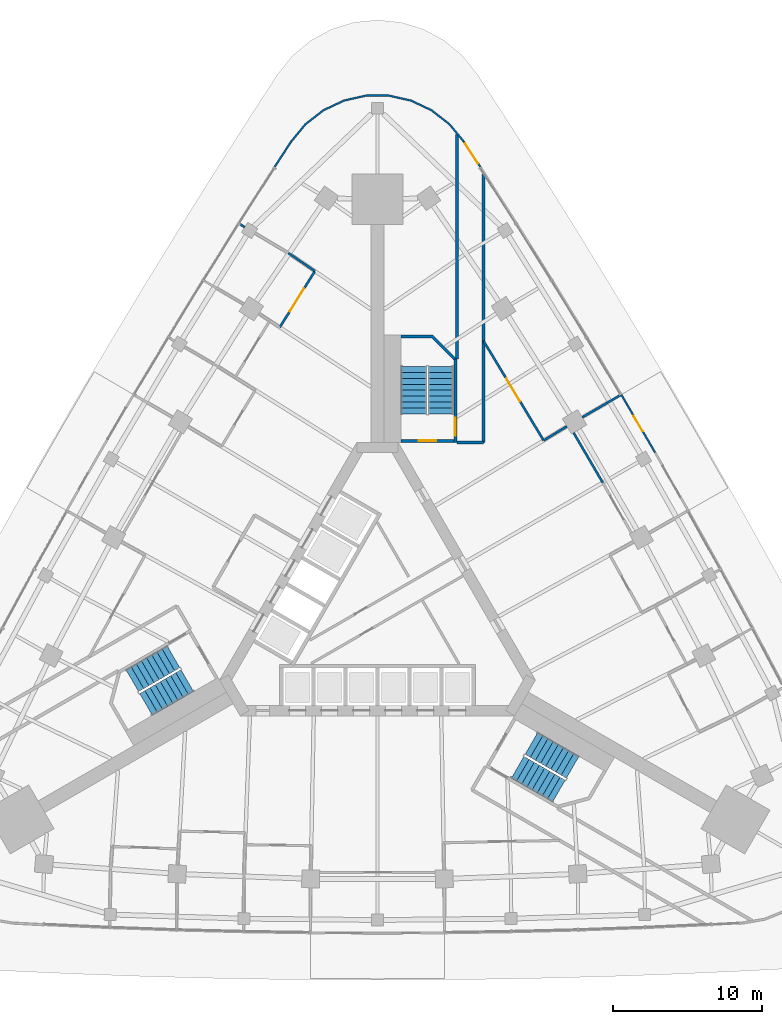
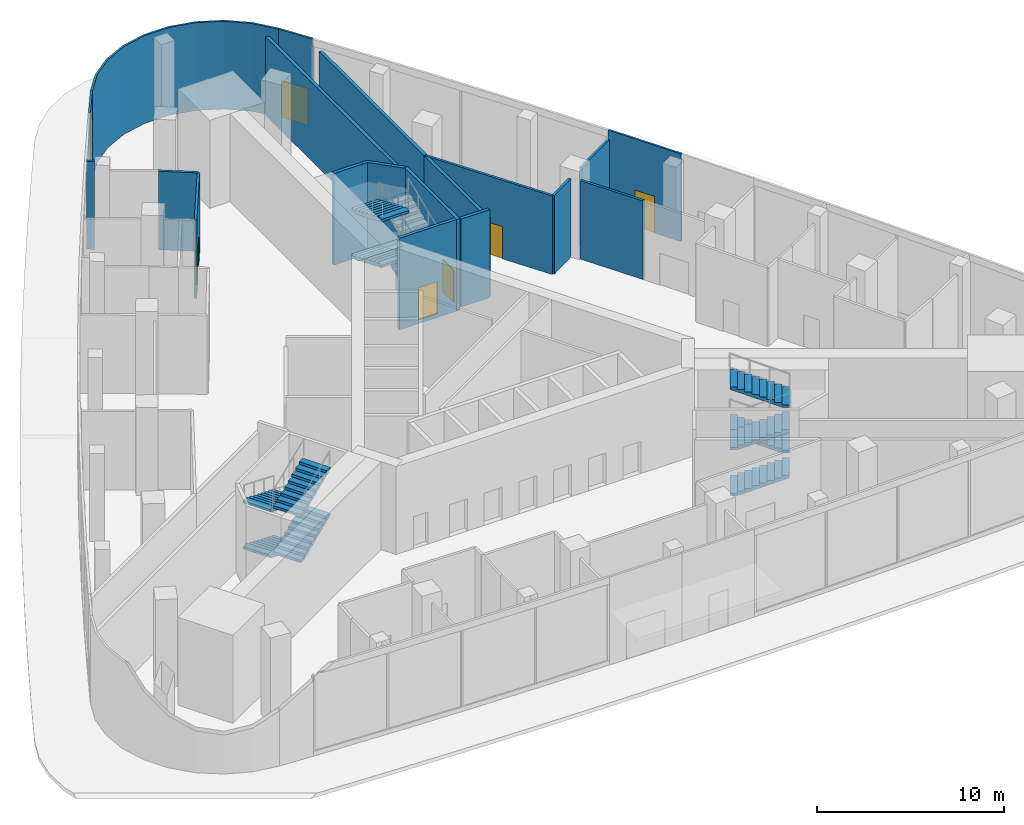
# One storey, part 10 of 14: 18 walls, 11 stair flights, 6 doors, 6 openings, 3 elements without a shape of their own.
"""IFC4 building model written with IfcOpenShell, lengths in metres."""

from ifc_helpers import new_model, si_unit, direction, frame, frame_2d, origin, place, context, subcontext, project, spatial, polyline, rectangle, outline, extrude, material, layer, layer_set, type_object, element, fill, aggregate, save


model = new_model("IFC4")

# Units and contexts
model_context = context("Model", 3, precision=1e-05, world=origin(), true_north=direction((0.0, 1.0)))
body_context = subcontext(model_context, "Body", "Model", "MODEL_VIEW")
ifc_project = project(units=[si_unit("LENGTHUNIT", "METRE"), si_unit("AREAUNIT", "SQUARE_METRE"), si_unit("VOLUMEUNIT", "CUBIC_METRE"), si_unit("PLANEANGLEUNIT", "RADIAN"), si_unit("MASSUNIT", "GRAM", prefix="KILO")], contexts=[model_context])

# Site, building, storey
site_placement = place(None, origin())
site = spatial("IfcSite", under=ifc_project, at=site_placement, CompositionType="ELEMENT")
building_placement = place(site_placement, origin())
building = spatial("IfcBuilding", under=site, at=building_placement, Name="Noor Cloister Tower", CompositionType="ELEMENT")
storey_placement = place(building_placement, origin())
storey = spatial("IfcBuildingStorey", under=building, at=storey_placement, Name="L00", CompositionType="ELEMENT", Elevation=0.0)

# Walls
ifc_material_1 = material(Name="Plasterboard on steel studs", Category="steel")
ifc_layer_1 = layer(ifc_material_1, 0.14990234375)
ifc_layer_set_1 = layer_set([ifc_layer_1], Name="Corridor wall 150")
wall_type_1 = type_object("IfcWallType", Name="Corridor wall 150", PredefinedType="PARTITIONING", material=ifc_layer_set_1)
wall_1_placement = place(storey_placement, frame((15.14501953125, 8.7451171875, 0.0), z_axis=(0.0, 0.0, 1.0), x_axis=(-0.504813441637, 0.863228468682, 0.0)))
element("IfcWall", 1, at=wall_1_placement, inside=storey, type_object=wall_type_1, Name="Partition", PredefinedType="PARTITIONING", context=body_context, shape_type="SweptSolid", body=[
    extrude(rectangle(XDim=3.880615234375, YDim=0.14990234375, at=frame_2d((1.9404296875, 0.0))), origin(), (0.0, 0.0, 1.0), 5.137939453125),
])
wall_2_placement = place(storey_placement, frame((12.736083984375, 12.52392578125, 0.0), z_axis=(0.0, 0.0, 1.0), x_axis=(-0.856583818217, -0.516007909211, 0.0)))
element("IfcWall", 2, at=wall_2_placement, inside=storey, type_object=wall_type_1, Name="Partition", PredefinedType="PARTITIONING", context=body_context, shape_type="SweptSolid", body=[
    extrude(rectangle(XDim=1.8271484375, YDim=0.14990234375, at=frame_2d((0.91357421875, 0.0))), origin(), (0.0, 0.0, 1.0), 5.137939453125),
])

# Wall, opening, door
wall_3_placement = place(storey_placement, frame((11.1689453125, 11.5810546875, 0.0), z_axis=(0.0, 0.0, 1.0), x_axis=(-0.516960400772, 0.856009313053, 0.0)))
wall_3 = element("IfcWall", 3, at=wall_3_placement, inside=storey, type_object=wall_type_1, Name="Partition", PredefinedType="PARTITIONING", context=body_context, shape_type="SweptSolid", body=[
    extrude(rectangle(XDim=7.80126953125, YDim=0.14990234375, at=frame_2d((3.900634765625, 0.0))), origin(), (0.0, 0.0, 1.0), 5.137939453125),
])
opening_1_placement = place(wall_3_placement, frame((3.050048828125, 0.0, 0.0)))
opening_1 = element("IfcOpeningElement", 4, at=opening_1_placement, cuts=wall_3, Name="Opening L00-011", PredefinedType="OPENING", context=body_context, shape_type="SweptSolid", body=[
    extrude(rectangle(XDim=1.800048828125, YDim=2.10009765625, at=frame_2d((0.89990234375, 1.050048828125))), frame((0.0, 0.0849609375, 0.0), z_axis=(0.0, -1.0, 0.0), x_axis=(1.0, 0.0, 0.0)), (0.0, 0.0, 1.0), 0.169921875),
])
ifc_material_2 = material(Name="Timber door leaf", Category="wood")
door_type_1 = type_object("IfcDoorType", Name="Double leaf door 1800", OperationType="DOUBLE_DOOR_SINGLE_SWING", PredefinedType="DOOR", material=ifc_material_2)
door_1_placement = place(opening_1_placement, origin())
door_1 = element("IfcDoor", 5, at=door_1_placement, inside=storey, type_object=door_type_1, Name="Door L00-011", OperationType="DOUBLE_DOOR_SINGLE_SWING", OverallHeight=2.10009765625, OverallWidth=1.800048828125, PredefinedType="DOOR", context=body_context, shape_type="SweptSolid", body=[
    extrude(rectangle(XDim=1.800048828125, YDim=2.10009765625, at=frame_2d((0.89990234375, 1.050048828125))), frame((0.0, 0.02490234375, 0.0), z_axis=(0.0, -1.0, 0.0), x_axis=(1.0, 0.0, 0.0)), (0.0, 0.0, 1.0), 0.050048828125),
])
fill(opening_1, door_1)

# Walls
wall_4_placement = place(storey_placement, frame((16.337890625, 14.6279296875, 0.0), z_axis=(0.0, 0.0, 1.0), x_axis=(-0.864594359068, -0.502470490943, 0.0)))
element("IfcWall", 6, at=wall_4_placement, inside=storey, type_object=wall_type_1, Name="Partition", PredefinedType="PARTITIONING", context=body_context, shape_type="SweptSolid", body=[
    extrude(rectangle(XDim=2.97119140625, YDim=0.14990234375, at=frame_2d((1.485595703125, 0.0))), origin(), (0.0, 0.0, 1.0), 5.133056640625),
])
wall_5_placement = place(storey_placement, frame((-9.2900390625, 26.14111328125, 0.0), z_axis=(0.0, 0.0, 1.0), x_axis=(0.860041962333, -0.510223307019, 0.0)))
element("IfcWall", 7, at=wall_5_placement, inside=storey, type_object=wall_type_1, Name="Partition", PredefinedType="PARTITIONING", context=body_context, shape_type="SweptSolid", body=[
    extrude(rectangle(XDim=0.42919921875, YDim=0.14990234375, at=frame_2d((0.214599609375, 0.0))), origin(), (0.0, 0.0, 1.0), 5.75),
])
wall_6_placement = place(storey_placement, frame((-5.98193359375, 24.173095703125, 0.0), z_axis=(0.0, 0.0, 1.0), x_axis=(0.826407250565, -0.563072869364, 0.0)))
element("IfcWall", 8, at=wall_6_placement, inside=storey, type_object=wall_type_1, Name="Partition", PredefinedType="PARTITIONING", context=body_context, shape_type="SweptSolid", body=[
    extrude(rectangle(XDim=2.15283203125, YDim=0.14990234375, at=frame_2d((1.076416015625, 0.0))), origin(), (0.0, 0.0, 1.0), 5.137939453125),
])

# Wall, opening, door
wall_7_placement = place(storey_placement, frame((-4.22412109375, 22.927978515625, 0.0), z_axis=(0.0, 0.0, 1.0), x_axis=(-0.53074011621, -0.847534618199, 0.0)))
wall_7 = element("IfcWall", 9, at=wall_7_placement, inside=storey, type_object=wall_type_1, Name="Partition", PredefinedType="PARTITIONING", context=body_context, shape_type="SweptSolid", body=[
    extrude(rectangle(XDim=4.410400390625, YDim=0.14990234375, at=frame_2d((2.205078125, 0.0))), origin(), (0.0, 0.0, 1.0), 5.137939453125),
])
opening_2_placement = place(wall_7_placement, frame((1.35009765625, 0.0, 0.0)))
opening_2 = element("IfcOpeningElement", 10, at=opening_2_placement, cuts=wall_7, Name="Opening L00-012", PredefinedType="OPENING", context=body_context, shape_type="SweptSolid", body=[
    extrude(rectangle(XDim=1.800048828125, YDim=2.10009765625, at=frame_2d((0.89990234375, 1.050048828125))), frame((0.0, 0.0849609375, 0.0), z_axis=(0.0, -1.0, 0.0), x_axis=(1.0, 0.0, 0.0)), (0.0, 0.0, 1.0), 0.169921875),
])
door_2_placement = place(opening_2_placement, origin())
door_2 = element("IfcDoor", 11, at=door_2_placement, inside=storey, type_object=door_type_1, Name="Door L00-012", OperationType="DOUBLE_DOOR_SINGLE_SWING", OverallHeight=2.10009765625, OverallWidth=1.800048828125, PredefinedType="DOOR", context=body_context, shape_type="SweptSolid", body=[
    extrude(rectangle(XDim=1.800048828125, YDim=2.10009765625, at=frame_2d((0.89990234375, 1.050048828125))), frame((0.0, 0.02490234375, 0.0), z_axis=(0.0, -1.0, 0.0), x_axis=(1.0, 0.0, 0.0)), (0.0, 0.0, 1.0), 0.050048828125),
])
fill(opening_2, door_2)

# Walls
ifc_material_3 = material(Name="Reinforced blockwork", Category="masonry")
ifc_layer_2 = layer(ifc_material_3, 0.199951171875)
ifc_layer_set_2 = layer_set([ifc_layer_2], Name="Fire rated block wall 200 EI 120")
wall_type_2 = type_object("IfcWallType", Name="Fire rated block wall 200 EI 120", PredefinedType="PARTITIONING", material=ifc_layer_set_2)
wall_8_placement = place(storey_placement, frame((7.135986328125, 18.260986328125, 0.0), z_axis=(0.0, 0.0, 1.0), x_axis=(0.0, -1.0, 0.0)))
element("IfcWall", 12, at=wall_8_placement, inside=storey, type_object=wall_type_2, Name="Fire rated wall", PredefinedType="PARTITIONING", context=body_context, shape_type="SweptSolid", body=[
    extrude(rectangle(XDim=6.804931640625, YDim=0.199951171875, at=frame_2d((3.40234375, 0.0))), origin(), (0.0, 0.0, 1.0), 5.137939453125),
])
wall_9_placement = place(storey_placement, frame((7.135986328125, 11.4560546875, 0.0), z_axis=(0.0, 0.0, 1.0), x_axis=(-1.0, 0.0, 0.0)))
element("IfcWall", 13, at=wall_9_placement, inside=storey, type_object=wall_type_2, Name="Fire rated wall", PredefinedType="PARTITIONING", context=body_context, shape_type="SweptSolid", body=[
    extrude(rectangle(XDim=1.800048828125, YDim=0.199951171875, at=frame_2d((0.89990234375, 0.0))), origin(), (0.0, 0.0, 1.0), 5.75),
])
wall_10_placement = place(storey_placement, frame((5.3359375, 17.051025390625, 0.0), z_axis=(0.0, 0.0, 1.0), x_axis=(0.0, 1.0, 0.0)))
element("IfcWall", 14, at=wall_10_placement, inside=storey, type_object=wall_type_2, Name="Fire rated wall", PredefinedType="PARTITIONING", context=body_context, shape_type="SweptSolid", body=[
    extrude(rectangle(XDim=15.087890625, YDim=0.199951171875, at=frame_2d((7.5439453125, 0.0))), origin(), (0.0, 0.0, 1.0), 5.133056640625),
])
wall_11_placement = place(storey_placement, frame((7.135986328125, 29.506103515625, 0.0), z_axis=(0.0, 0.0, 1.0), x_axis=(0.0, -1.0, 0.0)))
element("IfcWall", 15, at=wall_11_placement, inside=storey, type_object=wall_type_2, Name="Fire rated wall", PredefinedType="PARTITIONING", context=body_context, shape_type="SweptSolid", body=[
    extrude(rectangle(XDim=11.255126953125, YDim=0.199951171875, at=frame_2d((5.62744140625, 0.0))), origin(), (0.0, 0.0, 1.0), 5.133056640625),
])
ifc_material_4 = material(Name="Limestone", Category="masonry")
ifc_layer_3 = layer(ifc_material_4, 0.1201171875)
ifc_layer_set_3 = layer_set([ifc_layer_3], Name="Limestone cladding 120")
wall_type_3 = type_object("IfcWallType", Name="Limestone cladding 120", PredefinedType="NOTDEFINED", material=ifc_layer_set_3)
wall_12_placement = place(storey_placement, origin())
element("IfcWall", 16, at=wall_12_placement, inside=storey, type_object=wall_type_3, Name="Limestone corner cladding L00 3", PredefinedType="NOTDEFINED", context=body_context, shape_type="SweptSolid", body=[
    extrude(outline(polyline([(5.85693359375, 31.69677734375), (4.877685546875, 32.884033203125), (3.662841796875, 33.828369140625), (2.27099609375, 34.484619140625), (0.769287109375, 34.82080078125), (-0.769287109375, 34.82080078125), (-2.27099609375, 34.484619140625), (-3.662841796875, 33.828369140625), (-4.877685546875, 32.884033203125), (-5.85693359375, 31.69677734375), (-5.76416015625, 31.62060546875), (-4.79345703125, 32.79736328125), (-3.599609375, 33.725341796875), (-2.231689453125, 34.370361328125), (-0.756103515625, 34.70068359375), (0.756103515625, 34.70068359375), (2.231689453125, 34.370361328125), (3.599609375, 33.725341796875), (4.79345703125, 32.79736328125), (5.76416015625, 31.62060546875), (5.85693359375, 31.69677734375)])), origin(), (0.0, 0.0, 1.0), 5.75),
])
wall_13_placement = place(storey_placement, frame((-6.915771484375, 29.960693359375, 0.0), z_axis=(0.0, 0.0, 1.0), x_axis=(0.545706549404, 0.837976349271, 0.0)))
element("IfcWall", 17, at=wall_13_placement, inside=storey, type_object=wall_type_3, Name="Limestone pilaster wall L00 3.3", PredefinedType="NOTDEFINED", context=body_context, shape_type="SweptSolid", body=[
    extrude(rectangle(XDim=2.03076171875, YDim=0.1201171875, at=frame_2d((1.015380859375, 0.0))), origin(), (0.0, 0.0, 1.0), 5.75),
])

# Wall, opening, door
ifc_material_5 = material(Name="Limestone", Category="masonry")
ifc_layer_4 = layer(ifc_material_5, 0.1201171875)
ifc_layer_set_4 = layer_set([ifc_layer_4], Name="Limestone cladding 120 EI 60")
wall_type_4 = type_object("IfcWallType", Name="Limestone cladding 120 EI 60", PredefinedType="NOTDEFINED", material=ifc_layer_set_4)
wall_14_placement = place(storey_placement, frame((5.8076171875, 31.662353515625, 0.0), z_axis=(0.0, 0.0, 1.0), x_axis=(0.545706549404, -0.837976349271, 0.0)))
wall_14 = element("IfcWall", 18, at=wall_14_placement, inside=storey, type_object=wall_type_4, Name="Limestone pilaster wall L00 3.1", PredefinedType="NOTDEFINED", context=body_context, shape_type="SweptSolid", body=[
    extrude(rectangle(XDim=2.03076171875, YDim=0.1201171875, at=frame_2d((1.015380859375, 0.0))), origin(), (0.0, 0.0, 1.0), 5.75),
])
opening_3_placement = place(wall_14_placement, frame((0.14794921875, 0.0, 0.0)))
opening_3 = element("IfcOpeningElement", 19, at=opening_3_placement, cuts=wall_14, Name="Opening L00-X13", PredefinedType="OPENING", context=body_context, shape_type="SweptSolid", body=[
    extrude(rectangle(XDim=1.60009765625, YDim=2.39990234375, at=frame_2d((0.800048828125, 1.199951171875))), frame((0.0, 0.070068359375, 0.0), z_axis=(0.0, -1.0, 0.0), x_axis=(1.0, 0.0, 0.0)), (0.0, 0.0, 1.0), 0.14013671875),
])
ifc_material_6 = material(Name="Steel and glass", Category="steel")
door_type_2 = type_object("IfcDoorType", Name="Stair exit door pair 1600 x 2400", OperationType="DOUBLE_DOOR_SINGLE_SWING", PredefinedType="DOOR", material=ifc_material_6)
door_3_placement = place(opening_3_placement, origin())
door_3 = element("IfcDoor", 20, at=door_3_placement, inside=storey, type_object=door_type_2, Name="Stair exit door N", OperationType="DOUBLE_DOOR_SINGLE_SWING", OverallHeight=2.39990234375, OverallWidth=1.60009765625, PredefinedType="DOOR", context=body_context, shape_type="SweptSolid", body=[
    extrude(rectangle(XDim=1.60009765625, YDim=2.39990234375, at=frame_2d((0.800048828125, 1.199951171875))), frame((0.0, 0.02490234375, 0.0), z_axis=(0.0, -1.0, 0.0), x_axis=(1.0, 0.0, 0.0)), (0.0, 0.0, 1.0), 0.050048828125),
])
fill(opening_3, door_3)

ifc_material_7 = material(Name="Limestone", Category="masonry")
ifc_layer_5 = layer(ifc_material_7, 0.1201171875)
ifc_layer_set_5 = layer_set([ifc_layer_5], Name="Limestone portal wall 120")
wall_type_5 = type_object("IfcWallType", Name="Limestone portal wall 120", PredefinedType="NOTDEFINED", material=ifc_layer_set_5)
wall_15_placement = place(storey_placement, frame((16.3916015625, 14.6572265625, 0.0), z_axis=(0.0, 0.0, 1.0), x_axis=(0.50445499627, -0.86343798662, 0.0)))
wall_15 = element("IfcWall", 21, at=wall_15_placement, inside=storey, type_object=wall_type_5, Name="Entrance bay L00 NE 2", PredefinedType="NOTDEFINED", context=body_context, shape_type="SweptSolid", body=[
    extrude(rectangle(XDim=4.49609375, YDim=0.1201171875, at=frame_2d((2.248046875, 0.0))), origin(), (0.0, 0.0, 1.0), 5.75),
])
opening_4_placement = place(wall_15_placement, frame((1.64794921875, 0.0, 0.0)))
opening_4 = element("IfcOpeningElement", 22, at=opening_4_placement, cuts=wall_15, Name="Opening L00-X12", PredefinedType="OPENING", context=body_context, shape_type="SweptSolid", body=[
    extrude(rectangle(XDim=1.199951171875, YDim=2.39990234375, at=frame_2d((0.60009765625, 1.199951171875))), frame((0.0, 0.070068359375, 0.0), z_axis=(0.0, -1.0, 0.0), x_axis=(1.0, 0.0, 0.0)), (0.0, 0.0, 1.0), 0.14013671875),
])
ifc_material_8 = material(Name="Glass and aluminium", Category="aluminium")
door_type_3 = type_object("IfcDoorType", Name="Entrance swing door 1200 x 2400", OperationType="SINGLE_SWING_LEFT", PredefinedType="DOOR", material=ifc_material_8)
door_4_placement = place(opening_4_placement, origin())
door_4 = element("IfcDoor", 23, at=door_4_placement, inside=storey, type_object=door_type_3, Name="Station entrance door NE 2", OperationType="SINGLE_SWING_LEFT", OverallHeight=2.39990234375, OverallWidth=1.199951171875, PredefinedType="DOOR", context=body_context, shape_type="SweptSolid", body=[
    extrude(rectangle(XDim=1.199951171875, YDim=2.39990234375, at=frame_2d((0.60009765625, 1.199951171875))), frame((0.0, 0.02490234375, 0.0), z_axis=(0.0, -1.0, 0.0), x_axis=(1.0, 0.0, 0.0)), (0.0, 0.0, 1.0), 0.050048828125),
])
fill(opening_4, door_4)

ifc_material_9 = material(Name="Concrete C80/95", Category="concrete")
ifc_layer_6 = layer(ifc_material_9, 0.199951171875)
ifc_layer_set_6 = layer_set([ifc_layer_6], Name="Stair enclosure wall 200 C80/95")
wall_type_6 = type_object("IfcWallType", Name="Stair enclosure wall 200 C80/95", PredefinedType="SHEAR", material=ifc_layer_set_6)
wall_16_placement = place(storey_placement, frame((5.135498046875, 11.556396484375, -0.25), z_axis=(0.0, 0.0, 1.0), x_axis=(-1.0, 0.0, 0.0)))
wall_16 = element("IfcWall", 24, at=wall_16_placement, inside=storey, type_object=wall_type_6, Name="Stair enclosure wall ST1 L00 near end", PredefinedType="SHEAR", context=body_context, shape_type="SweptSolid", body=[
    extrude(rectangle(XDim=3.5498046875, YDim=0.199951171875, at=frame_2d((1.77490234375, 0.0))), origin(), (0.0, 0.0, 1.0), 6.0),
])
opening_5_placement = place(wall_16_placement, frame((1.175048828125, 0.0, 0.25)))
opening_5 = element("IfcOpeningElement", 25, at=opening_5_placement, cuts=wall_16, Name="Opening L00-ST1L", PredefinedType="OPENING", context=body_context, shape_type="SweptSolid", body=[
    extrude(rectangle(XDim=1.199951171875, YDim=2.10009765625, at=frame_2d((0.60009765625, 1.050048828125))), frame((0.0, 0.10986328125, 0.0), z_axis=(0.0, -1.0, 0.0), x_axis=(1.0, 0.0, 0.0)), (0.0, 0.0, 1.0), 0.219970703125),
])
ifc_material_10 = material(Name="Steel", Category="steel")
door_type_4 = type_object("IfcDoorType", Name="Stair door 1200 x 2100 FD120", OperationType="SINGLE_SWING_LEFT", PredefinedType="DOOR", material=ifc_material_10)
door_5_placement = place(opening_5_placement, origin())
door_5 = element("IfcDoor", 26, at=door_5_placement, inside=storey, type_object=door_type_4, Name="Stair door ST1 L00", OperationType="SINGLE_SWING_RIGHT", OverallHeight=2.10009765625, OverallWidth=1.199951171875, PredefinedType="DOOR", context=body_context, shape_type="SweptSolid", body=[
    extrude(rectangle(XDim=1.199951171875, YDim=2.10009765625, at=frame_2d((0.60009765625, 1.050048828125))), frame((0.0, 0.02490234375, 0.0), z_axis=(0.0, -1.0, 0.0), x_axis=(1.0, 0.0, 0.0)), (0.0, 0.0, 1.0), 0.050048828125),
])
fill(opening_5, door_5)

wall_17_placement = place(storey_placement, frame((5.235595703125, 11.456298828125, -0.25), z_axis=(0.0, 0.0, 1.0), x_axis=(0.0, 1.0, 0.0)))
wall_17 = element("IfcWall", 27, at=wall_17_placement, inside=storey, type_object=wall_type_6, Name="Stair enclosure wall ST1 L00 outer side", PredefinedType="SHEAR", context=body_context, shape_type="SweptSolid", body=[
    extrude(rectangle(XDim=5.60009765625, YDim=0.199951171875, at=frame_2d((2.800048828125, 0.0))), origin(), (0.0, 0.0, 1.0), 6.0),
])
opening_6_placement = place(wall_17_placement, frame((0.449951171875, 0.0, 0.25)))
opening_6 = element("IfcOpeningElement", 28, at=opening_6_placement, cuts=wall_17, Name="Opening L00-ST1C", PredefinedType="OPENING", context=body_context, shape_type="SweptSolid", body=[
    extrude(rectangle(XDim=1.199951171875, YDim=2.10009765625, at=frame_2d((0.60009765625, 1.050048828125))), frame((0.0, 0.10986328125, 0.0), z_axis=(0.0, -1.0, 0.0), x_axis=(1.0, 0.0, 0.0)), (0.0, 0.0, 1.0), 0.219970703125),
])
door_6_placement = place(opening_6_placement, origin())
door_6 = element("IfcDoor", 29, at=door_6_placement, inside=storey, type_object=door_type_4, Name="Stair discharge door ST1", OperationType="SINGLE_SWING_LEFT", OverallHeight=2.10009765625, OverallWidth=1.199951171875, PredefinedType="DOOR", context=body_context, shape_type="SweptSolid", body=[
    extrude(rectangle(XDim=1.199951171875, YDim=2.10009765625, at=frame_2d((0.60009765625, 1.050048828125))), frame((0.0, 0.02490234375, 0.0), z_axis=(0.0, -1.0, 0.0), x_axis=(1.0, 0.0, 0.0)), (0.0, 0.0, 1.0), 0.050048828125),
])
fill(opening_6, door_6)

# Wall
ifc_material_11 = material(Name="Concrete C80/95", Category="concrete")
wall_type_7 = type_object("IfcWallType", Name="Stair far end wall C80/95", PredefinedType="SHEAR", material=ifc_material_11)
wall_18_placement = place(storey_placement, frame((0.0, 0.0, -0.25)))
element("IfcWall", 30, at=wall_18_placement, inside=storey, type_object=wall_type_7, Name="Stair enclosure wall ST1 L00 far end", PredefinedType="SHEAR", context=body_context, shape_type="SweptSolid", body=[
    extrude(outline(polyline([(5.335693359375, 17.056396484375), (3.735595703125, 18.656494140625), (1.585693359375, 18.656494140625), (1.585693359375, 18.456298828125), (3.65283203125, 18.456298828125), (5.135498046875, 16.9736328125), (5.135498046875, 17.056396484375), (5.135498046875, 17.056396484375), (5.135498046875, 17.056396484375), (5.135498046875, 17.056396484375), (5.135498046875, 17.056396484375), (5.135498046875, 17.056396484375), (5.135498046875, 17.056396484375), (5.135498046875, 17.056396484375), (5.135498046875, 17.056396484375), (5.135498046875, 17.056396484375), (5.135498046875, 17.056396484375), (5.135498046875, 17.056396484375), (5.135498046875, 17.056396484375), (5.135498046875, 17.056396484375), (5.135498046875, 17.056396484375), (5.135498046875, 17.056396484375), (5.135498046875, 17.056396484375), (5.335693359375, 17.056396484375)])), origin(), (0.0, 0.0, 1.0), 6.0),
])

# Stair, stair flights
ifc_material_12 = material(Name="Concrete C40/50", Category="concrete")
stair_type = type_object("IfcStairType", Name="Exit stair 36 risers", PredefinedType="HALF_TURN_STAIR", material=ifc_material_12)
stair_1_placement = place(storey_placement, origin())
stair_1 = element("IfcStair", 31, at=stair_1_placement, inside=storey, type_object=stair_type, Name="Exit stair ST1 L00", PredefinedType="HALF_TURN_STAIR")
ifc_material_13 = material(Name="Concrete C40/50", Category="concrete")
stair_flight_type = type_object("IfcStairFlightType", Name="Exit stair flight", PredefinedType="STRAIGHT", material=ifc_material_13)
stair_flight_1_placement = place(storey_placement, frame((4.28564453125, 13.3564453125, 0.0), z_axis=(0.0, 0.0, 1.0), x_axis=(0.0, 1.0, 0.0)))
stair_flight_1 = element("IfcStairFlight", 32, at=stair_flight_1_placement, type_object=stair_flight_type, Name="ST1 flight 1", NumberOfRisers=9, NumberOfTreads=8, PredefinedType="STRAIGHT", RiserHeight=0.166666667, TreadLength=0.4, context=body_context, shape_type="SweptSolid", body=[
    extrude(outline(polyline([(0.0, 0.0), (0.0, 0.166748046875), (0.39990234375, 0.166748046875), (0.39990234375, 0.333251953125), (0.800048828125, 0.333251953125), (0.800048828125, 0.5), (1.199951171875, 0.5), (1.199951171875, 0.666748046875), (1.60009765625, 0.666748046875), (1.60009765625, 0.833251953125), (2.0, 0.833251953125), (2.0, 1.0), (2.39990234375, 1.0), (2.39990234375, 1.166748046875), (2.800048828125, 1.166748046875), (2.800048828125, 1.333251953125), (3.199951171875, 1.333251953125), (3.199951171875, 1.5), (3.199951171875, 1.1708984375), (0.3896484375, 0.0), (0.0, 0.0)])), frame((0.0, 0.85009765625, 0.0), z_axis=(0.0, -1.0, 0.0), x_axis=(1.0, 0.0, 0.0)), (0.0, 0.0, 1.0), 1.699951171875),
])
stair_flight_2_placement = place(storey_placement, frame((2.435546875, 16.556396484375, 1.5), z_axis=(0.0, 0.0, 1.0), x_axis=(0.0, -1.0, 0.0)))
stair_flight_2 = element("IfcStairFlight", 33, at=stair_flight_2_placement, type_object=stair_flight_type, Name="ST1 flight 2", NumberOfRisers=9, NumberOfTreads=8, PredefinedType="STRAIGHT", RiserHeight=0.166666667, TreadLength=0.4, context=body_context, shape_type="SweptSolid", body=[
    extrude(outline(polyline([(0.0, 0.0), (0.0, 0.166748046875), (0.39990234375, 0.166748046875), (0.39990234375, 0.333251953125), (0.800048828125, 0.333251953125), (0.800048828125, 0.5), (1.199951171875, 0.5), (1.199951171875, 0.666748046875), (1.60009765625, 0.666748046875), (1.60009765625, 0.833251953125), (2.0, 0.833251953125), (2.0, 1.0), (2.39990234375, 1.0), (2.39990234375, 1.166748046875), (2.800048828125, 1.166748046875), (2.800048828125, 1.333251953125), (3.199951171875, 1.333251953125), (3.199951171875, 1.5), (3.199951171875, 1.1708984375), (0.3896484375, 0.0), (0.0, 0.0)])), frame((0.0, 0.85009765625, 0.0), z_axis=(0.0, -1.0, 0.0), x_axis=(1.0, 0.0, 0.0)), (0.0, 0.0, 1.0), 1.699951171875),
])
stair_flight_3_placement = place(storey_placement, frame((2.435546875, 16.556396484375, 4.5), z_axis=(0.0, 0.0, 1.0), x_axis=(0.0, -1.0, 0.0)))
stair_flight_3 = element("IfcStairFlight", 34, at=stair_flight_3_placement, type_object=stair_flight_type, Name="ST1 flight 4", NumberOfRisers=9, NumberOfTreads=8, PredefinedType="STRAIGHT", RiserHeight=0.166666667, TreadLength=0.4, context=body_context, shape_type="SweptSolid", body=[
    extrude(outline(polyline([(0.0, 0.0), (0.0, 0.166748046875), (0.39990234375, 0.166748046875), (0.39990234375, 0.333251953125), (0.800048828125, 0.333251953125), (0.800048828125, 0.5), (1.199951171875, 0.5), (1.199951171875, 0.666748046875), (1.60009765625, 0.666748046875), (1.60009765625, 0.833251953125), (2.0, 0.833251953125), (2.0, 1.0), (2.39990234375, 1.0), (2.39990234375, 1.166748046875), (2.800048828125, 1.166748046875), (2.800048828125, 1.333251953125), (3.199951171875, 1.333251953125), (3.199951171875, 1.5), (3.199951171875, 1.1708984375), (0.3896484375, 0.0), (0.0, 0.0)])), frame((0.0, 0.85009765625, 0.0), z_axis=(0.0, -1.0, 0.0), x_axis=(1.0, 0.0, 0.0)), (0.0, 0.0, 1.0), 1.699951171875),
])
aggregate(stair_1, [stair_flight_1, stair_flight_2, stair_flight_3])

stair_2_placement = place(storey_placement, origin())
stair_2 = element("IfcStair", 35, at=stair_2_placement, inside=storey, type_object=stair_type, Name="Exit stair ST2 L00", PredefinedType="HALF_TURN_STAIR")
stair_flight_4_placement = place(storey_placement, frame((-13.709716796875, -2.966796875, 0.0), z_axis=(0.0, 0.0, 1.0), x_axis=(-0.866025403784, -0.5, 0.0)))
stair_flight_4 = element("IfcStairFlight", 36, at=stair_flight_4_placement, type_object=stair_flight_type, Name="ST2 flight 1", NumberOfRisers=9, NumberOfTreads=8, PredefinedType="STRAIGHT", RiserHeight=0.166666667, TreadLength=0.4, context=body_context, shape_type="SweptSolid", body=[
    extrude(outline(polyline([(0.0, 0.0), (0.0, 0.166748046875), (0.39990234375, 0.166748046875), (0.39990234375, 0.333251953125), (0.800048828125, 0.333251953125), (0.800048828125, 0.5), (1.199951171875, 0.5), (1.199951171875, 0.666748046875), (1.60009765625, 0.666748046875), (1.60009765625, 0.833251953125), (2.0, 0.833251953125), (2.0, 1.0), (2.39990234375, 1.0), (2.39990234375, 1.166748046875), (2.800048828125, 1.166748046875), (2.800048828125, 1.333251953125), (3.199951171875, 1.333251953125), (3.199951171875, 1.5), (3.199951171875, 1.1708984375), (0.3896484375, 0.0), (0.0, 0.0)])), frame((0.0, 0.85009765625, 0.0), z_axis=(0.0, -1.0, 0.0), x_axis=(1.0, 0.0, 0.0)), (0.0, 0.0, 1.0), 1.699951171875),
])
stair_flight_5_placement = place(storey_placement, frame((-15.55615234375, -6.1689453125, 1.5), z_axis=(0.0, 0.0, 1.0), x_axis=(0.866025403784, 0.5, 0.0)))
stair_flight_5 = element("IfcStairFlight", 37, at=stair_flight_5_placement, type_object=stair_flight_type, Name="ST2 flight 2", NumberOfRisers=9, NumberOfTreads=8, PredefinedType="STRAIGHT", RiserHeight=0.166666667, TreadLength=0.4, context=body_context, shape_type="SweptSolid", body=[
    extrude(outline(polyline([(0.0, 0.0), (0.0, 0.166748046875), (0.39990234375, 0.166748046875), (0.39990234375, 0.333251953125), (0.800048828125, 0.333251953125), (0.800048828125, 0.5), (1.199951171875, 0.5), (1.199951171875, 0.666748046875), (1.60009765625, 0.666748046875), (1.60009765625, 0.833251953125), (2.0, 0.833251953125), (2.0, 1.0), (2.39990234375, 1.0), (2.39990234375, 1.166748046875), (2.800048828125, 1.166748046875), (2.800048828125, 1.333251953125), (3.199951171875, 1.333251953125), (3.199951171875, 1.5), (3.199951171875, 1.1708984375), (0.3896484375, 0.0), (0.0, 0.0)])), frame((0.0, 0.85009765625, 0.0), z_axis=(0.0, -1.0, 0.0), x_axis=(1.0, 0.0, 0.0)), (0.0, 0.0, 1.0), 1.699951171875),
])
stair_flight_6_placement = place(storey_placement, frame((-13.709716796875, -2.966796875, 3.0), z_axis=(0.0, 0.0, 1.0), x_axis=(-0.866025403784, -0.5, 0.0)))
stair_flight_6 = element("IfcStairFlight", 38, at=stair_flight_6_placement, type_object=stair_flight_type, Name="ST2 flight 3", NumberOfRisers=9, NumberOfTreads=8, PredefinedType="STRAIGHT", RiserHeight=0.166666667, TreadLength=0.4, context=body_context, shape_type="SweptSolid", body=[
    extrude(outline(polyline([(0.0, 0.0), (0.0, 0.166748046875), (0.39990234375, 0.166748046875), (0.39990234375, 0.333251953125), (0.800048828125, 0.333251953125), (0.800048828125, 0.5), (1.199951171875, 0.5), (1.199951171875, 0.666748046875), (1.60009765625, 0.666748046875), (1.60009765625, 0.833251953125), (2.0, 0.833251953125), (2.0, 1.0), (2.39990234375, 1.0), (2.39990234375, 1.166748046875), (2.800048828125, 1.166748046875), (2.800048828125, 1.333251953125), (3.199951171875, 1.333251953125), (3.199951171875, 1.5), (3.199951171875, 1.1708984375), (0.3896484375, 0.0), (0.0, 0.0)])), frame((0.0, 0.85009765625, 0.0), z_axis=(0.0, -1.0, 0.0), x_axis=(1.0, 0.0, 0.0)), (0.0, 0.0, 1.0), 1.699951171875),
])
stair_flight_7_placement = place(storey_placement, frame((-15.55615234375, -6.1689453125, 4.5), z_axis=(0.0, 0.0, 1.0), x_axis=(0.866025403784, 0.5, 0.0)))
stair_flight_7 = element("IfcStairFlight", 39, at=stair_flight_7_placement, type_object=stair_flight_type, Name="ST2 flight 4", NumberOfRisers=9, NumberOfTreads=8, PredefinedType="STRAIGHT", RiserHeight=0.166666667, TreadLength=0.4, context=body_context, shape_type="SweptSolid", body=[
    extrude(outline(polyline([(0.0, 0.0), (0.0, 0.166748046875), (0.39990234375, 0.166748046875), (0.39990234375, 0.333251953125), (0.800048828125, 0.333251953125), (0.800048828125, 0.5), (1.199951171875, 0.5), (1.199951171875, 0.666748046875), (1.60009765625, 0.666748046875), (1.60009765625, 0.833251953125), (2.0, 0.833251953125), (2.0, 1.0), (2.39990234375, 1.0), (2.39990234375, 1.166748046875), (2.800048828125, 1.166748046875), (2.800048828125, 1.333251953125), (3.199951171875, 1.333251953125), (3.199951171875, 1.5), (3.199951171875, 1.1708984375), (0.3896484375, 0.0), (0.0, 0.0)])), frame((0.0, 0.85009765625, 0.0), z_axis=(0.0, -1.0, 0.0), x_axis=(1.0, 0.0, 0.0)), (0.0, 0.0, 1.0), 1.699951171875),
])
aggregate(stair_2, [stair_flight_4, stair_flight_5, stair_flight_6, stair_flight_7])

stair_3_placement = place(storey_placement, origin())
stair_3 = element("IfcStair", 40, at=stair_3_placement, inside=storey, type_object=stair_type, Name="Exit stair ST3 L00", PredefinedType="HALF_TURN_STAIR")
stair_flight_8_placement = place(storey_placement, frame((9.424072265625, -10.3896484375, 0.0), z_axis=(0.0, 0.0, 1.0), x_axis=(0.866025403784, -0.5, 0.0)))
stair_flight_8 = element("IfcStairFlight", 41, at=stair_flight_8_placement, type_object=stair_flight_type, Name="ST3 flight 1", NumberOfRisers=9, NumberOfTreads=8, PredefinedType="STRAIGHT", RiserHeight=0.166666667, TreadLength=0.4, context=body_context, shape_type="SweptSolid", body=[
    extrude(outline(polyline([(0.0, 0.0), (0.0, 0.166748046875), (0.39990234375, 0.166748046875), (0.39990234375, 0.333251953125), (0.800048828125, 0.333251953125), (0.800048828125, 0.5), (1.199951171875, 0.5), (1.199951171875, 0.666748046875), (1.60009765625, 0.666748046875), (1.60009765625, 0.833251953125), (2.0, 0.833251953125), (2.0, 1.0), (2.39990234375, 1.0), (2.39990234375, 1.166748046875), (2.800048828125, 1.166748046875), (2.800048828125, 1.333251953125), (3.199951171875, 1.333251953125), (3.199951171875, 1.5), (3.199951171875, 1.1708984375), (0.3896484375, 0.0), (0.0, 0.0)])), frame((0.0, 0.85009765625, 0.0), z_axis=(0.0, -1.0, 0.0), x_axis=(1.0, 0.0, 0.0)), (0.0, 0.0, 1.0), 1.699951171875),
])
stair_flight_9_placement = place(storey_placement, frame((13.120361328125, -10.387451171875, 1.5), z_axis=(0.0, 0.0, 1.0), x_axis=(-0.866025403784, 0.5, 0.0)))
stair_flight_9 = element("IfcStairFlight", 42, at=stair_flight_9_placement, type_object=stair_flight_type, Name="ST3 flight 2", NumberOfRisers=9, NumberOfTreads=8, PredefinedType="STRAIGHT", RiserHeight=0.166666667, TreadLength=0.4, context=body_context, shape_type="SweptSolid", body=[
    extrude(outline(polyline([(0.0, 0.0), (0.0, 0.166748046875), (0.39990234375, 0.166748046875), (0.39990234375, 0.333251953125), (0.800048828125, 0.333251953125), (0.800048828125, 0.5), (1.199951171875, 0.5), (1.199951171875, 0.666748046875), (1.60009765625, 0.666748046875), (1.60009765625, 0.833251953125), (2.0, 0.833251953125), (2.0, 1.0), (2.39990234375, 1.0), (2.39990234375, 1.166748046875), (2.800048828125, 1.166748046875), (2.800048828125, 1.333251953125), (3.199951171875, 1.333251953125), (3.199951171875, 1.5), (3.199951171875, 1.1708984375), (0.3896484375, 0.0), (0.0, 0.0)])), frame((0.0, 0.85009765625, 0.0), z_axis=(0.0, -1.0, 0.0), x_axis=(1.0, 0.0, 0.0)), (0.0, 0.0, 1.0), 1.699951171875),
])
stair_flight_10_placement = place(storey_placement, frame((9.424072265625, -10.3896484375, 3.0), z_axis=(0.0, 0.0, 1.0), x_axis=(0.866025403784, -0.5, 0.0)))
stair_flight_10 = element("IfcStairFlight", 43, at=stair_flight_10_placement, type_object=stair_flight_type, Name="ST3 flight 3", NumberOfRisers=9, NumberOfTreads=8, PredefinedType="STRAIGHT", RiserHeight=0.166666667, TreadLength=0.4, context=body_context, shape_type="SweptSolid", body=[
    extrude(outline(polyline([(0.0, 0.0), (0.0, 0.166748046875), (0.39990234375, 0.166748046875), (0.39990234375, 0.333251953125), (0.800048828125, 0.333251953125), (0.800048828125, 0.5), (1.199951171875, 0.5), (1.199951171875, 0.666748046875), (1.60009765625, 0.666748046875), (1.60009765625, 0.833251953125), (2.0, 0.833251953125), (2.0, 1.0), (2.39990234375, 1.0), (2.39990234375, 1.166748046875), (2.800048828125, 1.166748046875), (2.800048828125, 1.333251953125), (3.199951171875, 1.333251953125), (3.199951171875, 1.5), (3.199951171875, 1.1708984375), (0.3896484375, 0.0), (0.0, 0.0)])), frame((0.0, 0.85009765625, 0.0), z_axis=(0.0, -1.0, 0.0), x_axis=(1.0, 0.0, 0.0)), (0.0, 0.0, 1.0), 1.699951171875),
])
stair_flight_11_placement = place(storey_placement, frame((13.120361328125, -10.387451171875, 4.5), z_axis=(0.0, 0.0, 1.0), x_axis=(-0.866025403784, 0.5, 0.0)))
stair_flight_11 = element("IfcStairFlight", 44, at=stair_flight_11_placement, type_object=stair_flight_type, Name="ST3 flight 4", NumberOfRisers=9, NumberOfTreads=8, PredefinedType="STRAIGHT", RiserHeight=0.166666667, TreadLength=0.4, context=body_context, shape_type="SweptSolid", body=[
    extrude(outline(polyline([(0.0, 0.0), (0.0, 0.166748046875), (0.39990234375, 0.166748046875), (0.39990234375, 0.333251953125), (0.800048828125, 0.333251953125), (0.800048828125, 0.5), (1.199951171875, 0.5), (1.199951171875, 0.666748046875), (1.60009765625, 0.666748046875), (1.60009765625, 0.833251953125), (2.0, 0.833251953125), (2.0, 1.0), (2.39990234375, 1.0), (2.39990234375, 1.166748046875), (2.800048828125, 1.166748046875), (2.800048828125, 1.333251953125), (3.199951171875, 1.333251953125), (3.199951171875, 1.5), (3.199951171875, 1.1708984375), (0.3896484375, 0.0), (0.0, 0.0)])), frame((0.0, 0.85009765625, 0.0), z_axis=(0.0, -1.0, 0.0), x_axis=(1.0, 0.0, 0.0)), (0.0, 0.0, 1.0), 1.699951171875),
])
aggregate(stair_3, [stair_flight_8, stair_flight_9, stair_flight_10, stair_flight_11])

save(model, "model.ifc")
